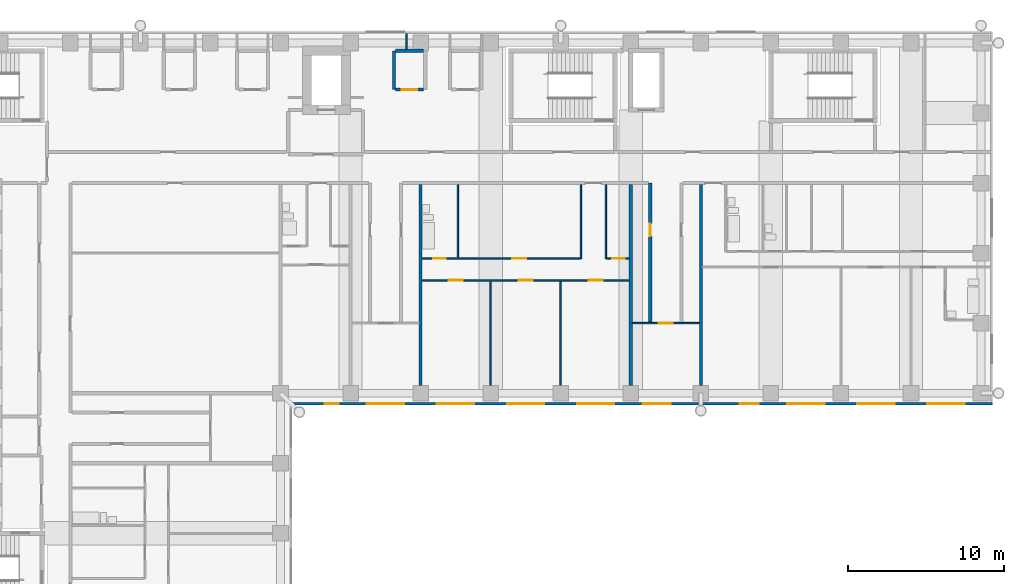
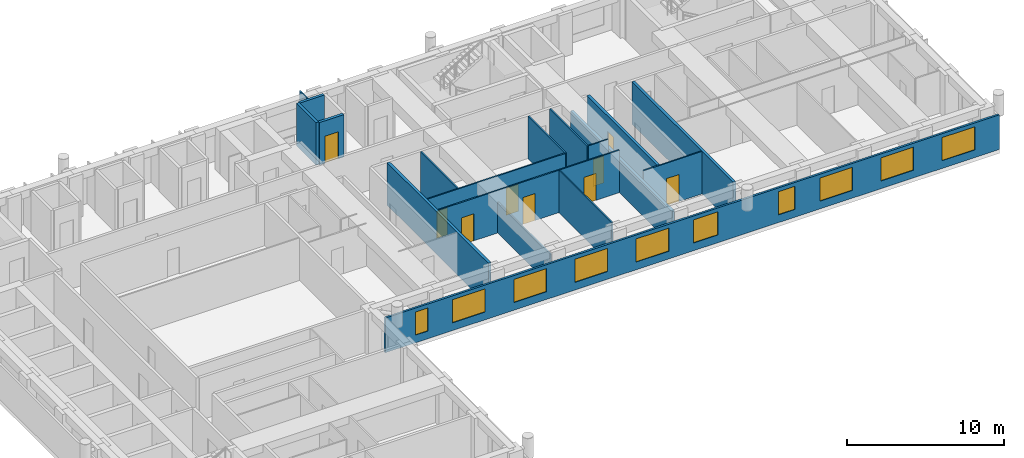
# One storey, part 9 of 15: 18 walls, 10 windows, 9 doors, 19 openings.
"""IFC4 building model written with IfcOpenShell, lengths in metres."""

from ifc_helpers import new_model, si_unit, direction, frame, frame_2d, origin, place, context, subcontext, project, spatial, rectangle, extrude, material, layer, layer_set, type_object, element, fill, save


model = new_model("IFC4")

# Units and contexts
model_context = context("Model", 3, precision=1e-05, world=origin(), true_north=direction((0.0, 1.0)))
body_context = subcontext(model_context, "Body", "Model", "MODEL_VIEW")
ifc_project = project(units=[si_unit("LENGTHUNIT", "METRE"), si_unit("AREAUNIT", "SQUARE_METRE"), si_unit("VOLUMEUNIT", "CUBIC_METRE"), si_unit("PLANEANGLEUNIT", "RADIAN"), si_unit("MASSUNIT", "GRAM", prefix="KILO")], contexts=[model_context])

# Site, building, storey
site_placement = place(None, origin())
site = spatial("IfcSite", under=ifc_project, at=site_placement, CompositionType="ELEMENT")
building_placement = place(site_placement, origin())
building = spatial("IfcBuilding", under=site, at=building_placement, Name="Firuza Court", CompositionType="ELEMENT")
storey_placement = place(building_placement, frame((0.0, 0.0, 137.60009765625)))
storey = spatial("IfcBuildingStorey", under=building, at=storey_placement, Name="L34", CompositionType="ELEMENT", Elevation=137.60009765625)

# Wall
ifc_material_1 = material(Name="Moisture-resistant gypsum board partition")
ifc_layer_1 = layer(ifc_material_1, 0.10009765625)
ifc_layer_set_1 = layer_set([ifc_layer_1], Name="Moisture-resistant gypsum board partition")
wall_type_1 = type_object("IfcWallType", Name="Bathroom partition 100", PredefinedType="PLUMBINGWALL", material=ifc_layer_set_1)
wall_1_placement = place(storey_placement, frame((33.89990234375, 44.699951171875, 0.0), z_axis=(0.0, 0.0, 1.0), x_axis=(0.0, 1.0, 0.0)))
element("IfcWall", 1, at=wall_1_placement, inside=storey, type_object=wall_type_1, Name="Bathroom partition 100 L34", PredefinedType="PLUMBINGWALL", context=body_context, shape_type="SweptSolid", body=[
    extrude(rectangle(XDim=4.699951171875, YDim=0.10009765625, at=frame_2d((2.35009765625, 0.0))), origin(), (0.0, 0.0, 1.0), 3.2998046875),
])

# Wall, opening, door
ifc_material_2 = material(Name="Blockwork, plastered both sides", Category="masonry")
ifc_layer_2 = layer(ifc_material_2, 0.199951171875)
ifc_layer_set_2 = layer_set([ifc_layer_2], Name="Blockwork, plastered both sides")
wall_type_2 = type_object("IfcWallType", Name="Corridor wall 200", PredefinedType="PARTITIONING", material=ifc_layer_set_2)
wall_2_placement = place(storey_placement, frame((46.25, 40.550048828125, 0.0), z_axis=(0.0, 0.0, 1.0), x_axis=(0.0, 1.0, 0.0)))
wall_2 = element("IfcWall", 2, at=wall_2_placement, inside=storey, type_object=wall_type_2, Name="Corridor wall 200 L34", PredefinedType="PARTITIONING", context=body_context, shape_type="SweptSolid", body=[
    extrude(rectangle(XDim=8.949951171875, YDim=0.199951171875, at=frame_2d((4.47509765625, 0.0))), origin(), (0.0, 0.0, 1.0), 3.2998046875),
])
opening_1_placement = place(wall_2_placement, frame((5.550048828125, 0.0, 0.0)))
opening_1 = element("IfcOpeningElement", 3, at=opening_1_placement, cuts=wall_2, Name="Opening D34043", PredefinedType="OPENING", context=body_context, shape_type="SweptSolid", body=[
    extrude(rectangle(XDim=0.800048828125, YDim=2.10009765625, at=frame_2d((0.39990234375, 1.050048828125))), frame((0.0, 0.11181640625, 0.0), z_axis=(0.0, -1.0, 0.0), x_axis=(1.0, 0.0, 0.0)), (0.0, 0.0, 1.0), 0.223876953125),
])
ifc_material_3 = material(Name="Timber door leaf in hardwood frame", Category="wood")
door_type_1 = type_object("IfcDoorType", Name="Room door 800 EI 30", OperationType="SINGLE_SWING_LEFT", PredefinedType="DOOR", material=ifc_material_3)
door_1_placement = place(opening_1_placement, origin())
door_1 = element("IfcDoor", 4, at=door_1_placement, inside=storey, type_object=door_type_1, Name="Store door", OperationType="SINGLE_SWING_RIGHT", OverallHeight=2.10009765625, OverallWidth=0.800048828125, PredefinedType="DOOR", context=body_context, shape_type="SweptSolid", body=[
    extrude(rectangle(XDim=0.800048828125, YDim=2.10009765625, at=frame_2d((0.39990234375, 1.050048828125))), frame((0.0, 0.02490234375, 0.0), z_axis=(0.0, -1.0, 0.0), x_axis=(1.0, 0.0, 0.0)), (0.0, 0.0, 1.0), 0.050048828125),
])
fill(opening_1, door_1)

# Walls
ifc_material_4 = material(Name="Timber stud partition, plasterboard both sides", Category="wood")
ifc_layer_3 = layer(ifc_material_4, 0.10009765625)
ifc_layer_set_3 = layer_set([ifc_layer_3], Name="Timber stud partition, plasterboard both sides")
wall_type_3 = type_object("IfcWallType", Name="Partition wall 100", PredefinedType="PARTITIONING", material=ifc_layer_set_3)
wall_3_placement = place(storey_placement, frame((36.0, 36.5, 0.0), z_axis=(0.0, 0.0, 1.0), x_axis=(0.0, 1.0, 0.0)))
element("IfcWall", 5, at=wall_3_placement, inside=storey, type_object=wall_type_3, Name="Partition wall 100 L34", PredefinedType="PARTITIONING", context=body_context, shape_type="SweptSolid", body=[
    extrude(rectangle(XDim=6.699951171875, YDim=0.10009765625, at=frame_2d((3.35009765625, 0.0))), origin(), (0.0, 0.0, 1.0), 2.39990234375),
])
wall_4_placement = place(storey_placement, frame((40.5, 36.5, 0.0), z_axis=(0.0, 0.0, 1.0), x_axis=(0.0, 1.0, 0.0)))
element("IfcWall", 6, at=wall_4_placement, inside=storey, type_object=wall_type_3, Name="Partition wall 100 L34", PredefinedType="PARTITIONING", context=body_context, shape_type="SweptSolid", body=[
    extrude(rectangle(XDim=6.699951171875, YDim=0.10009765625, at=frame_2d((3.35009765625, 0.0))), origin(), (0.0, 0.0, 1.0), 3.2998046875),
])

# Wall, opening, door
wall_5_placement = place(storey_placement, frame((45.10009765625, 40.5, 0.0), z_axis=(0.0, 0.0, 1.0), x_axis=(1.0, 0.0, 0.0)))
wall_5 = element("IfcWall", 7, at=wall_5_placement, inside=storey, type_object=wall_type_3, Name="Partition wall 100 L34", PredefinedType="PARTITIONING", context=body_context, shape_type="SweptSolid", body=[
    extrude(rectangle(XDim=4.2998046875, YDim=0.10009765625, at=frame_2d((2.14990234375, 0.0))), origin(), (0.0, 0.0, 1.0), 3.2998046875),
])
opening_2_placement = place(wall_5_placement, frame((1.699951171875, 0.0, 0.0)))
opening_2 = element("IfcOpeningElement", 8, at=opening_2_placement, cuts=wall_5, Name="Opening D34040", PredefinedType="OPENING", context=body_context, shape_type="SweptSolid", body=[
    extrude(rectangle(XDim=0.89990234375, YDim=2.10009765625, at=frame_2d((0.449951171875, 1.050048828125))), frame((0.0, 0.06201171875, 0.0), z_axis=(0.0, -1.0, 0.0), x_axis=(1.0, 0.0, 0.0)), (0.0, 0.0, 1.0), 0.1240234375),
])
ifc_material_5 = material(Name="Timber door leaf in hardwood frame", Category="wood")
door_type_2 = type_object("IfcDoorType", Name="Room door 900", OperationType="SINGLE_SWING_LEFT", PredefinedType="DOOR", material=ifc_material_5)
door_2_placement = place(opening_2_placement, origin())
door_2 = element("IfcDoor", 9, at=door_2_placement, inside=storey, type_object=door_type_2, Name="Residents' lounge door", OperationType="SINGLE_SWING_LEFT", OverallHeight=2.10009765625, OverallWidth=0.89990234375, PredefinedType="DOOR", context=body_context, shape_type="SweptSolid", body=[
    extrude(rectangle(XDim=0.89990234375, YDim=2.10009765625, at=frame_2d((0.449951171875, 1.050048828125))), frame((0.0, 0.02490234375, 0.0), z_axis=(0.0, -1.0, 0.0), x_axis=(1.0, 0.0, 0.0)), (0.0, 0.0, 1.0), 0.050048828125),
])
fill(opening_2, door_2)

# Wall, openings, doors
wall_6_placement = place(storey_placement, frame((31.60009765625, 43.25, 0.0), z_axis=(0.0, 0.0, 1.0), x_axis=(1.0, 0.0, 0.0)))
wall_6 = element("IfcWall", 10, at=wall_6_placement, inside=storey, type_object=wall_type_3, Name="Partition wall 100 L34", PredefinedType="PARTITIONING", context=body_context, shape_type="SweptSolid", body=[
    extrude(rectangle(XDim=13.2998046875, YDim=0.10009765625, at=frame_2d((6.64990234375, 0.0))), origin(), (0.0, 0.0, 1.0), 3.2998046875),
])
opening_3_placement = place(wall_6_placement, frame((1.699951171875, 0.0, 0.0)))
opening_3 = element("IfcOpeningElement", 11, at=opening_3_placement, cuts=wall_6, Name="Opening D34046", PredefinedType="OPENING", context=body_context, shape_type="SweptSolid", body=[
    extrude(rectangle(XDim=0.89990234375, YDim=2.10009765625, at=frame_2d((0.449951171875, 1.050048828125))), frame((0.0, 0.06201171875, 0.0), z_axis=(0.0, -1.0, 0.0), x_axis=(1.0, 0.0, 0.0)), (0.0, 0.0, 1.0), 0.1240234375),
])
opening_4_placement = place(wall_6_placement, frame((6.199951171875, 0.0, 0.0)))
opening_4 = element("IfcOpeningElement", 12, at=opening_4_placement, cuts=wall_6, Name="Opening D34047", PredefinedType="OPENING", context=body_context, shape_type="SweptSolid", body=[
    extrude(rectangle(XDim=0.89990234375, YDim=2.10009765625, at=frame_2d((0.449951171875, 1.050048828125))), frame((0.0, 0.06201171875, 0.0), z_axis=(0.0, -1.0, 0.0), x_axis=(1.0, 0.0, 0.0)), (0.0, 0.0, 1.0), 0.1240234375),
])
opening_5_placement = place(wall_6_placement, frame((10.699951171875, 0.0, 0.0)))
opening_5 = element("IfcOpeningElement", 13, at=opening_5_placement, cuts=wall_6, Name="Opening D34048", PredefinedType="OPENING", context=body_context, shape_type="SweptSolid", body=[
    extrude(rectangle(XDim=0.89990234375, YDim=2.10009765625, at=frame_2d((0.449951171875, 1.050048828125))), frame((0.0, 0.06201171875, 0.0), z_axis=(0.0, -1.0, 0.0), x_axis=(1.0, 0.0, 0.0)), (0.0, 0.0, 1.0), 0.1240234375),
])
door_3_placement = place(opening_3_placement, frame((0.89990234375, 0.0, 0.0), z_axis=(0.0, 0.0, 1.0), x_axis=(-1.0, 0.0, 0.0)))
door_3 = element("IfcDoor", 14, at=door_3_placement, inside=storey, type_object=door_type_2, Name="Bedroom door", OperationType="SINGLE_SWING_RIGHT", OverallHeight=2.10009765625, OverallWidth=0.89990234375, PredefinedType="DOOR", context=body_context, shape_type="SweptSolid", body=[
    extrude(rectangle(XDim=0.89990234375, YDim=2.10009765625, at=frame_2d((0.449951171875, 1.050048828125))), frame((0.0, 0.02490234375, 0.0), z_axis=(0.0, -1.0, 0.0), x_axis=(1.0, 0.0, 0.0)), (0.0, 0.0, 1.0), 0.050048828125),
])
fill(opening_3, door_3)
door_4_placement = place(opening_4_placement, frame((0.89990234375, 0.0, 0.0), z_axis=(0.0, 0.0, 1.0), x_axis=(-1.0, 0.0, 0.0)))
door_4 = element("IfcDoor", 15, at=door_4_placement, inside=storey, type_object=door_type_2, Name="Living room door", OperationType="SINGLE_SWING_RIGHT", OverallHeight=2.10009765625, OverallWidth=0.89990234375, PredefinedType="DOOR", context=body_context, shape_type="SweptSolid", body=[
    extrude(rectangle(XDim=0.89990234375, YDim=2.10009765625, at=frame_2d((0.449951171875, 1.050048828125))), frame((0.0, 0.02490234375, 0.0), z_axis=(0.0, -1.0, 0.0), x_axis=(1.0, 0.0, 0.0)), (0.0, 0.0, 1.0), 0.050048828125),
])
fill(opening_4, door_4)
door_5_placement = place(opening_5_placement, frame((0.89990234375, 0.0, 0.0), z_axis=(0.0, 0.0, 1.0), x_axis=(-1.0, 0.0, 0.0)))
door_5 = element("IfcDoor", 16, at=door_5_placement, inside=storey, type_object=door_type_2, Name="Bedroom door", OperationType="SINGLE_SWING_RIGHT", OverallHeight=2.10009765625, OverallWidth=0.89990234375, PredefinedType="DOOR", context=body_context, shape_type="SweptSolid", body=[
    extrude(rectangle(XDim=0.89990234375, YDim=2.10009765625, at=frame_2d((0.449951171875, 1.050048828125))), frame((0.0, 0.02490234375, 0.0), z_axis=(0.0, -1.0, 0.0), x_axis=(1.0, 0.0, 0.0)), (0.0, 0.0, 1.0), 0.050048828125),
])
fill(opening_5, door_5)

wall_7_placement = place(storey_placement, frame((31.60009765625, 44.64990234375, 0.0), z_axis=(0.0, 0.0, 1.0), x_axis=(1.0, 0.0, 0.0)))
wall_7 = element("IfcWall", 17, at=wall_7_placement, inside=storey, type_object=wall_type_3, Name="Partition wall 100 L34", PredefinedType="PARTITIONING", context=body_context, shape_type="SweptSolid", body=[
    extrude(rectangle(XDim=10.14990234375, YDim=0.10009765625, at=frame_2d((5.074951171875, 0.0))), origin(), (0.0, 0.0, 1.0), 3.2998046875),
])
opening_6_placement = place(wall_7_placement, frame((0.699951171875, 0.0, 0.0)))
opening_6 = element("IfcOpeningElement", 18, at=opening_6_placement, cuts=wall_7, Name="Opening D34053", PredefinedType="OPENING", context=body_context, shape_type="SweptSolid", body=[
    extrude(rectangle(XDim=0.800048828125, YDim=2.10009765625, at=frame_2d((0.39990234375, 1.050048828125))), frame((0.0, 0.06201171875, 0.0), z_axis=(0.0, -1.0, 0.0), x_axis=(1.0, 0.0, 0.0)), (0.0, 0.0, 1.0), 0.1240234375),
])
opening_7_placement = place(wall_7_placement, frame((5.800048828125, 0.0, 0.0)))
opening_7 = element("IfcOpeningElement", 19, at=opening_7_placement, cuts=wall_7, Name="Opening D34054", PredefinedType="OPENING", context=body_context, shape_type="SweptSolid", body=[
    extrude(rectangle(XDim=0.89990234375, YDim=2.10009765625, at=frame_2d((0.449951171875, 1.050048828125))), frame((0.0, 0.06201171875, 0.0), z_axis=(0.0, -1.0, 0.0), x_axis=(1.0, 0.0, 0.0)), (0.0, 0.0, 1.0), 0.1240234375),
])
ifc_material_6 = material(Name="Timber door leaf in hardwood frame", Category="wood")
door_type_3 = type_object("IfcDoorType", Name="Bathroom door 800", OperationType="SINGLE_SWING_LEFT", PredefinedType="DOOR", material=ifc_material_6)
door_6_placement = place(opening_6_placement, origin())
door_6 = element("IfcDoor", 20, at=door_6_placement, inside=storey, type_object=door_type_3, Name="Bathroom door", OperationType="SINGLE_SWING_LEFT", OverallHeight=2.10009765625, OverallWidth=0.800048828125, PredefinedType="DOOR", context=body_context, shape_type="SweptSolid", body=[
    extrude(rectangle(XDim=0.800048828125, YDim=2.10009765625, at=frame_2d((0.39990234375, 1.050048828125))), frame((0.0, 0.02490234375, 0.0), z_axis=(0.0, -1.0, 0.0), x_axis=(1.0, 0.0, 0.0)), (0.0, 0.0, 1.0), 0.050048828125),
])
fill(opening_6, door_6)
door_7_placement = place(opening_7_placement, origin())
door_7 = element("IfcDoor", 21, at=door_7_placement, inside=storey, type_object=door_type_2, Name="Kitchen door", OperationType="SINGLE_SWING_LEFT", OverallHeight=2.10009765625, OverallWidth=0.89990234375, PredefinedType="DOOR", context=body_context, shape_type="SweptSolid", body=[
    extrude(rectangle(XDim=0.89990234375, YDim=2.10009765625, at=frame_2d((0.449951171875, 1.050048828125))), frame((0.0, 0.02490234375, 0.0), z_axis=(0.0, -1.0, 0.0), x_axis=(1.0, 0.0, 0.0)), (0.0, 0.0, 1.0), 0.050048828125),
])
fill(opening_7, door_7)

# Walls
for number, where, z_axis, x_axis, name in (
    (22, (41.800048828125, 44.64990234375, 0.0), (0.0, 0.0, 1.0), (0.0, 1.0, 0.0), "Partition wall 100 L34"),
    (23, (43.39990234375, 44.64990234375, 0.0), (0.0, 0.0, 1.0), (0.0, 1.0, 0.0), "Partition wall 100 L34"),
):
    element("IfcWall", number, at=place(storey_placement, frame(where, z_axis=z_axis, x_axis=x_axis)), inside=storey, type_object=wall_type_3, Name=name, PredefinedType="PARTITIONING", context=body_context, shape_type="SweptSolid", body=[
        extrude(rectangle(XDim=4.75, YDim=0.10009765625, at=frame_2d((2.375, 0.0))), origin(), (0.0, 0.0, 1.0), 3.2998046875),
    ])

# Wall, opening, door
wall_8_placement = place(storey_placement, frame((43.449951171875, 44.64990234375, 0.0), z_axis=(0.0, 0.0, 1.0), x_axis=(1.0, 0.0, 0.0)))
wall_8 = element("IfcWall", 24, at=wall_8_placement, inside=storey, type_object=wall_type_3, Name="Partition wall 100 L34", PredefinedType="PARTITIONING", context=body_context, shape_type="SweptSolid", body=[
    extrude(rectangle(XDim=1.449951171875, YDim=0.10009765625, at=frame_2d((0.72509765625, 0.0))), origin(), (0.0, 0.0, 1.0), 3.2998046875),
])
opening_8_placement = place(wall_8_placement, frame((0.35009765625, 0.0, 0.0)))
opening_8 = element("IfcOpeningElement", 25, at=opening_8_placement, cuts=wall_8, Name="Opening D34055", PredefinedType="OPENING", context=body_context, shape_type="SweptSolid", body=[
    extrude(rectangle(XDim=0.800048828125, YDim=2.10009765625, at=frame_2d((0.39990234375, 1.050048828125))), frame((0.0, 0.06201171875, 0.0), z_axis=(0.0, -1.0, 0.0), x_axis=(1.0, 0.0, 0.0)), (0.0, 0.0, 1.0), 0.1240234375),
])
ifc_material_7 = material(Name="Timber door leaf in hardwood frame", Category="wood")
door_type_4 = type_object("IfcDoorType", Name="Room door 800", OperationType="SINGLE_SWING_LEFT", PredefinedType="DOOR", material=ifc_material_7)
door_8_placement = place(opening_8_placement, origin())
door_8 = element("IfcDoor", 26, at=door_8_placement, inside=storey, type_object=door_type_4, Name="Store door", OperationType="SINGLE_SWING_LEFT", OverallHeight=2.10009765625, OverallWidth=0.800048828125, PredefinedType="DOOR", context=body_context, shape_type="SweptSolid", body=[
    extrude(rectangle(XDim=0.800048828125, YDim=2.10009765625, at=frame_2d((0.39990234375, 1.050048828125))), frame((0.0, 0.02490234375, 0.0), z_axis=(0.0, -1.0, 0.0), x_axis=(1.0, 0.0, 0.0)), (0.0, 0.0, 1.0), 0.050048828125),
])
fill(opening_8, door_8)

# Walls
wall_9_placement = place(storey_placement, frame((30.60009765625, 58.10009765625, 0.0), z_axis=(0.0, 0.0, 1.0), x_axis=(0.0, 1.0, 0.0)))
element("IfcWall", 27, at=wall_9_placement, inside=storey, type_object=wall_type_3, Name="Partition wall 100 L34", PredefinedType="PARTITIONING", context=body_context, shape_type="SweptSolid", body=[
    extrude(rectangle(XDim=1.0, YDim=0.10009765625, at=frame_2d((0.5, 0.0))), origin(), (0.0, 0.0, 1.0), 3.2998046875),
])
ifc_layer_4 = layer(ifc_material_2, 0.199951171875)
ifc_layer_set_4 = layer_set([ifc_layer_4], Name="Blockwork, plastered both sides")
wall_type_4 = type_object("IfcWallType", Name="Party wall 200", PredefinedType="PARTITIONING", material=ifc_layer_set_4)
wall_10_placement = place(storey_placement, frame((31.5, 36.5, 0.0), z_axis=(0.0, 0.0, 1.0), x_axis=(0.0, 1.0, 0.0)))
element("IfcWall", 28, at=wall_10_placement, inside=storey, type_object=wall_type_4, Name="Party wall 200 L34", PredefinedType="PARTITIONING", context=body_context, shape_type="SweptSolid", body=[
    extrude(rectangle(XDim=12.89990234375, YDim=0.199951171875, at=frame_2d((6.449951171875, 0.0))), origin(), (0.0, 0.0, 1.0), 3.2998046875),
])
wall_11_placement = place(storey_placement, frame((45.0, 36.5, 0.0), z_axis=(0.0, 0.0, 1.0), x_axis=(0.0, 1.0, 0.0)))
element("IfcWall", 29, at=wall_11_placement, inside=storey, type_object=wall_type_4, Name="Party wall 200 L34", PredefinedType="PARTITIONING", context=body_context, shape_type="SweptSolid", body=[
    extrude(rectangle(XDim=12.89990234375, YDim=0.199951171875, at=frame_2d((6.449951171875, 0.0))), origin(), (0.0, 0.0, 1.0), 2.599853515625),
])
wall_12_placement = place(storey_placement, frame((49.5, 36.5, 0.0), z_axis=(0.0, 0.0, 1.0), x_axis=(0.0, 1.0, 0.0)))
element("IfcWall", 30, at=wall_12_placement, inside=storey, type_object=wall_type_4, Name="Party wall 200 L34", PredefinedType="PARTITIONING", context=body_context, shape_type="SweptSolid", body=[
    extrude(rectangle(XDim=12.89990234375, YDim=0.199951171875, at=frame_2d((6.449951171875, 0.0))), origin(), (0.0, 0.0, 1.0), 3.2998046875),
])
ifc_material_8 = material(Name="Blockwork, fire-rated", Category="masonry")
ifc_layer_5 = layer(ifc_material_8, 0.199951171875)
ifc_layer_set_5 = layer_set([ifc_layer_5], Name="Blockwork, fire-rated")
wall_type_5 = type_object("IfcWallType", Name="Plant room wall 200", PredefinedType="PARTITIONING", material=ifc_layer_set_5)
wall_13_placement = place(storey_placement, frame((29.800048828125, 55.5, 0.0), z_axis=(0.0, 0.0, 1.0), x_axis=(0.0, 1.0, 0.0)))
element("IfcWall", 31, at=wall_13_placement, inside=storey, type_object=wall_type_5, Name="Plant room wall 200 L34", PredefinedType="PARTITIONING", context=body_context, shape_type="SweptSolid", body=[
    extrude(rectangle(XDim=2.5, YDim=0.199951171875, at=frame_2d((1.25, 0.0))), origin(), (0.0, 0.0, 1.0), 3.2998046875),
])

# Wall, opening, door
wall_14_placement = place(storey_placement, frame((29.89990234375, 55.5, 0.0), z_axis=(0.0, 0.0, 1.0), x_axis=(1.0, 0.0, 0.0)))
wall_14 = element("IfcWall", 32, at=wall_14_placement, inside=storey, type_object=wall_type_5, Name="Plant room wall 200 L34", PredefinedType="PARTITIONING", context=body_context, shape_type="SweptSolid", body=[
    extrude(rectangle(XDim=1.800048828125, YDim=0.199951171875, at=frame_2d((0.89990234375, 0.0))), origin(), (0.0, 0.0, 1.0), 3.2998046875),
])
opening_9_placement = place(wall_14_placement, frame((0.39990234375, 0.0, 0.0)))
opening_9 = element("IfcOpeningElement", 33, at=opening_9_placement, cuts=wall_14, Name="Opening D34075", PredefinedType="OPENING", context=body_context, shape_type="SweptSolid", body=[
    extrude(rectangle(XDim=1.0, YDim=2.10009765625, at=frame_2d((0.5, 1.050048828125))), frame((0.0, 0.11181640625, 0.0), z_axis=(0.0, -1.0, 0.0), x_axis=(1.0, 0.0, 0.0)), (0.0, 0.0, 1.0), 0.223876953125),
])
ifc_material_9 = material(Name="Timber door leaf in hardwood frame", Category="wood")
door_type_5 = type_object("IfcDoorType", Name="Riser door 1000", OperationType="SINGLE_SWING_LEFT", PredefinedType="DOOR", material=ifc_material_9)
door_9_placement = place(opening_9_placement, origin())
door_9 = element("IfcDoor", 34, at=door_9_placement, inside=storey, type_object=door_type_5, Name="Electrical riser door", OperationType="SINGLE_SWING_LEFT", OverallHeight=2.10009765625, OverallWidth=1.0, PredefinedType="DOOR", context=body_context, shape_type="SweptSolid", body=[
    extrude(rectangle(XDim=1.0, YDim=2.10009765625, at=frame_2d((0.5, 1.050048828125))), frame((0.0, 0.02490234375, 0.0), z_axis=(0.0, -1.0, 0.0), x_axis=(1.0, 0.0, 0.0)), (0.0, 0.0, 1.0), 0.050048828125),
])
fill(opening_9, door_9)

# Wall
wall_15_placement = place(storey_placement, frame((29.89990234375, 58.0, 0.0), z_axis=(0.0, 0.0, 1.0), x_axis=(1.0, 0.0, 0.0)))
element("IfcWall", 35, at=wall_15_placement, inside=storey, type_object=wall_type_5, Name="Plant room wall 200 L34", PredefinedType="PARTITIONING", context=body_context, shape_type="SweptSolid", body=[
    extrude(rectangle(XDim=1.800048828125, YDim=0.199951171875, at=frame_2d((0.89990234375, 0.0))), origin(), (0.0, 0.0, 1.0), 3.2998046875),
])

# Wall, openings, windows
ifc_material_10 = material(Name="Ceramic tile", Category="ceramic")
ifc_layer_6 = layer(ifc_material_10, 0.02001953125)
ifc_material_11 = material(Name="Mineral wool insulation", Category="insulation")
ifc_layer_7 = layer(ifc_material_11, 0.050048828125)
ifc_material_12 = material(Name="Concrete C40/50 precast", Category="concrete")
ifc_layer_8 = layer(ifc_material_12, 0.080078125)
ifc_layer_set_6 = layer_set([ifc_layer_6, ifc_layer_7, ifc_layer_8], Name="Concrete C40/50 precast")
wall_type_6 = type_object("IfcWallType", Name="Precast cladding wall with turquoise TILE PANEL face 150", PredefinedType="STANDARD", material=ifc_layer_set_6)
wall_16_placement = place(storey_placement, frame((23.10009765625, 35.324951171875, 0.0), z_axis=(0.0, 0.0, 1.0), x_axis=(1.0, 0.0, 0.0)))
wall_16 = element("IfcWall", 36, at=wall_16_placement, inside=storey, type_object=wall_type_6, Name="Facade wall L34 S", PredefinedType="STANDARD", context=body_context, shape_type="SweptSolid", body=[
    extrude(rectangle(XDim=45.14990234375, YDim=0.14990234375, at=frame_2d((22.574951171875, 0.0))), origin(), (0.0, 0.0, 1.0), 2.699951171875),
])
opening_10_placement = place(wall_16_placement, frame((2.234619140625, 0.0, 0.60009765625)))
opening_10 = element("IfcOpeningElement", 37, at=opening_10_placement, cuts=wall_16, Name="Opening W3", PredefinedType="OPENING", context=body_context, shape_type="SweptSolid", body=[
    extrude(rectangle(XDim=0.89990234375, YDim=1.800048828125, at=frame_2d((0.449951171875, 0.89990234375))), frame((0.0, 0.0869140625, 0.0), z_axis=(0.0, -1.0, 0.0), x_axis=(1.0, 0.0, 0.0)), (0.0, 0.0, 1.0), 0.173828125),
])
opening_11_placement = place(wall_16_placement, frame((4.949951171875, 0.0, 0.60009765625)))
opening_11 = element("IfcOpeningElement", 38, at=opening_11_placement, cuts=wall_16, Name="Opening W1", PredefinedType="OPENING", context=body_context, shape_type="SweptSolid", body=[
    extrude(rectangle(XDim=2.39990234375, YDim=1.800048828125, at=frame_2d((1.199951171875, 0.89990234375))), frame((0.0, 0.0869140625, 0.0), z_axis=(0.0, -1.0, 0.0), x_axis=(1.0, 0.0, 0.0)), (0.0, 0.0, 1.0), 0.173828125),
])
opening_12_placement = place(wall_16_placement, frame((9.449951171875, 0.0, 0.60009765625)))
opening_12 = element("IfcOpeningElement", 39, at=opening_12_placement, cuts=wall_16, Name="Opening W1", PredefinedType="OPENING", context=body_context, shape_type="SweptSolid", body=[
    extrude(rectangle(XDim=2.39990234375, YDim=1.800048828125, at=frame_2d((1.199951171875, 0.89990234375))), frame((0.0, 0.0869140625, 0.0), z_axis=(0.0, -1.0, 0.0), x_axis=(1.0, 0.0, 0.0)), (0.0, 0.0, 1.0), 0.173828125),
])
opening_13_placement = place(wall_16_placement, frame((13.949951171875, 0.0, 0.60009765625)))
opening_13 = element("IfcOpeningElement", 40, at=opening_13_placement, cuts=wall_16, Name="Opening W1", PredefinedType="OPENING", context=body_context, shape_type="SweptSolid", body=[
    extrude(rectangle(XDim=2.39990234375, YDim=1.800048828125, at=frame_2d((1.199951171875, 0.89990234375))), frame((0.0, 0.0869140625, 0.0), z_axis=(0.0, -1.0, 0.0), x_axis=(1.0, 0.0, 0.0)), (0.0, 0.0, 1.0), 0.173828125),
])
opening_14_placement = place(wall_16_placement, frame((18.449951171875, 0.0, 0.60009765625)))
opening_14 = element("IfcOpeningElement", 41, at=opening_14_placement, cuts=wall_16, Name="Opening W1", PredefinedType="OPENING", context=body_context, shape_type="SweptSolid", body=[
    extrude(rectangle(XDim=2.39990234375, YDim=1.800048828125, at=frame_2d((1.199951171875, 0.89990234375))), frame((0.0, 0.0869140625, 0.0), z_axis=(0.0, -1.0, 0.0), x_axis=(1.0, 0.0, 0.0)), (0.0, 0.0, 1.0), 0.173828125),
])
opening_15_placement = place(wall_16_placement, frame((22.65966796875, 0.0, 0.60009765625)))
opening_15 = element("IfcOpeningElement", 42, at=opening_15_placement, cuts=wall_16, Name="Opening W7", PredefinedType="OPENING", context=body_context, shape_type="SweptSolid", body=[
    extrude(rectangle(XDim=1.800048828125, YDim=1.800048828125, at=frame_2d((0.89990234375, 0.89990234375))), frame((0.0, 0.0869140625, 0.0), z_axis=(0.0, -1.0, 0.0), x_axis=(1.0, 0.0, 0.0)), (0.0, 0.0, 1.0), 0.173828125),
])
opening_16_placement = place(wall_16_placement, frame((28.9111328125, 0.0, 0.60009765625)))
opening_16 = element("IfcOpeningElement", 43, at=opening_16_placement, cuts=wall_16, Name="Opening W8", PredefinedType="OPENING", context=body_context, shape_type="SweptSolid", body=[
    extrude(rectangle(XDim=1.199951171875, YDim=1.800048828125, at=frame_2d((0.60009765625, 0.89990234375))), frame((0.0, 0.0869140625, 0.0), z_axis=(0.0, -1.0, 0.0), x_axis=(1.0, 0.0, 0.0)), (0.0, 0.0, 1.0), 0.173828125),
])
opening_17_placement = place(wall_16_placement, frame((31.949951171875, 0.0, 0.60009765625)))
opening_17 = element("IfcOpeningElement", 44, at=opening_17_placement, cuts=wall_16, Name="Opening W1", PredefinedType="OPENING", context=body_context, shape_type="SweptSolid", body=[
    extrude(rectangle(XDim=2.39990234375, YDim=1.800048828125, at=frame_2d((1.199951171875, 0.89990234375))), frame((0.0, 0.0869140625, 0.0), z_axis=(0.0, -1.0, 0.0), x_axis=(1.0, 0.0, 0.0)), (0.0, 0.0, 1.0), 0.173828125),
])
opening_18_placement = place(wall_16_placement, frame((36.449951171875, 0.0, 0.60009765625)))
opening_18 = element("IfcOpeningElement", 45, at=opening_18_placement, cuts=wall_16, Name="Opening W1", PredefinedType="OPENING", context=body_context, shape_type="SweptSolid", body=[
    extrude(rectangle(XDim=2.39990234375, YDim=1.800048828125, at=frame_2d((1.199951171875, 0.89990234375))), frame((0.0, 0.0869140625, 0.0), z_axis=(0.0, -1.0, 0.0), x_axis=(1.0, 0.0, 0.0)), (0.0, 0.0, 1.0), 0.173828125),
])
opening_19_placement = place(wall_16_placement, frame((40.949951171875, 0.0, 0.60009765625)))
opening_19 = element("IfcOpeningElement", 46, at=opening_19_placement, cuts=wall_16, Name="Opening W1", PredefinedType="OPENING", context=body_context, shape_type="SweptSolid", body=[
    extrude(rectangle(XDim=2.39990234375, YDim=1.800048828125, at=frame_2d((1.199951171875, 0.89990234375))), frame((0.0, 0.0869140625, 0.0), z_axis=(0.0, -1.0, 0.0), x_axis=(1.0, 0.0, 0.0)), (0.0, 0.0, 1.0), 0.173828125),
])
ifc_material_13 = material(Name="Aluminium frame, triple clear glazing", Category="aluminium")
window_type_1 = type_object("IfcWindowType", Name="Window W1 2400 x 1800", PartitioningType="SINGLE_PANEL", PredefinedType="WINDOW", material=ifc_material_13)
window_1_placement = place(opening_11_placement, origin())
window_1 = element("IfcWindow", 47, at=window_1_placement, inside=storey, type_object=window_type_1, Name="Window L34", OverallHeight=1.800048828125, OverallWidth=2.39990234375, PartitioningType="SINGLE_PANEL", PredefinedType="WINDOW", context=body_context, shape_type="SweptSolid", body=[
    extrude(rectangle(XDim=2.39990234375, YDim=1.800048828125, at=frame_2d((1.199951171875, 0.89990234375))), frame((0.0, 0.030029296875, 0.0), z_axis=(0.0, -1.0, 0.0), x_axis=(1.0, 0.0, 0.0)), (0.0, 0.0, 1.0), 0.06005859375),
])
fill(opening_11, window_1)
window_2_placement = place(opening_12_placement, origin())
window_2 = element("IfcWindow", 48, at=window_2_placement, inside=storey, type_object=window_type_1, Name="Window L34", OverallHeight=1.800048828125, OverallWidth=2.39990234375, PartitioningType="SINGLE_PANEL", PredefinedType="WINDOW", context=body_context, shape_type="SweptSolid", body=[
    extrude(rectangle(XDim=2.39990234375, YDim=1.800048828125, at=frame_2d((1.199951171875, 0.89990234375))), frame((0.0, 0.030029296875, 0.0), z_axis=(0.0, -1.0, 0.0), x_axis=(1.0, 0.0, 0.0)), (0.0, 0.0, 1.0), 0.06005859375),
])
fill(opening_12, window_2)
window_3_placement = place(opening_13_placement, origin())
window_3 = element("IfcWindow", 49, at=window_3_placement, inside=storey, type_object=window_type_1, Name="Window L34", OverallHeight=1.800048828125, OverallWidth=2.39990234375, PartitioningType="SINGLE_PANEL", PredefinedType="WINDOW", context=body_context, shape_type="SweptSolid", body=[
    extrude(rectangle(XDim=2.39990234375, YDim=1.800048828125, at=frame_2d((1.199951171875, 0.89990234375))), frame((0.0, 0.030029296875, 0.0), z_axis=(0.0, -1.0, 0.0), x_axis=(1.0, 0.0, 0.0)), (0.0, 0.0, 1.0), 0.06005859375),
])
fill(opening_13, window_3)
window_4_placement = place(opening_14_placement, origin())
window_4 = element("IfcWindow", 50, at=window_4_placement, inside=storey, type_object=window_type_1, Name="Window L34", OverallHeight=1.800048828125, OverallWidth=2.39990234375, PartitioningType="SINGLE_PANEL", PredefinedType="WINDOW", context=body_context, shape_type="SweptSolid", body=[
    extrude(rectangle(XDim=2.39990234375, YDim=1.800048828125, at=frame_2d((1.199951171875, 0.89990234375))), frame((0.0, 0.030029296875, 0.0), z_axis=(0.0, -1.0, 0.0), x_axis=(1.0, 0.0, 0.0)), (0.0, 0.0, 1.0), 0.06005859375),
])
fill(opening_14, window_4)
window_5_placement = place(opening_17_placement, origin())
window_5 = element("IfcWindow", 51, at=window_5_placement, inside=storey, type_object=window_type_1, Name="Window L34", OverallHeight=1.800048828125, OverallWidth=2.39990234375, PartitioningType="SINGLE_PANEL", PredefinedType="WINDOW", context=body_context, shape_type="SweptSolid", body=[
    extrude(rectangle(XDim=2.39990234375, YDim=1.800048828125, at=frame_2d((1.199951171875, 0.89990234375))), frame((0.0, 0.030029296875, 0.0), z_axis=(0.0, -1.0, 0.0), x_axis=(1.0, 0.0, 0.0)), (0.0, 0.0, 1.0), 0.06005859375),
])
fill(opening_17, window_5)
window_6_placement = place(opening_18_placement, origin())
window_6 = element("IfcWindow", 52, at=window_6_placement, inside=storey, type_object=window_type_1, Name="Window L34", OverallHeight=1.800048828125, OverallWidth=2.39990234375, PartitioningType="SINGLE_PANEL", PredefinedType="WINDOW", context=body_context, shape_type="SweptSolid", body=[
    extrude(rectangle(XDim=2.39990234375, YDim=1.800048828125, at=frame_2d((1.199951171875, 0.89990234375))), frame((0.0, 0.030029296875, 0.0), z_axis=(0.0, -1.0, 0.0), x_axis=(1.0, 0.0, 0.0)), (0.0, 0.0, 1.0), 0.06005859375),
])
fill(opening_18, window_6)
window_7_placement = place(opening_19_placement, origin())
window_7 = element("IfcWindow", 53, at=window_7_placement, inside=storey, type_object=window_type_1, Name="Window L34", OverallHeight=1.800048828125, OverallWidth=2.39990234375, PartitioningType="SINGLE_PANEL", PredefinedType="WINDOW", context=body_context, shape_type="SweptSolid", body=[
    extrude(rectangle(XDim=2.39990234375, YDim=1.800048828125, at=frame_2d((1.199951171875, 0.89990234375))), frame((0.0, 0.030029296875, 0.0), z_axis=(0.0, -1.0, 0.0), x_axis=(1.0, 0.0, 0.0)), (0.0, 0.0, 1.0), 0.06005859375),
])
fill(opening_19, window_7)
ifc_material_14 = material(Name="Aluminium frame, triple clear glazing", Category="aluminium")
window_type_2 = type_object("IfcWindowType", Name="Window W3 900 x 1800", PartitioningType="SINGLE_PANEL", PredefinedType="WINDOW", material=ifc_material_14)
window_8_placement = place(opening_10_placement, origin())
window_8 = element("IfcWindow", 54, at=window_8_placement, inside=storey, type_object=window_type_2, Name="Window L34", OverallHeight=1.800048828125, OverallWidth=0.89990234375, PartitioningType="SINGLE_PANEL", PredefinedType="WINDOW", context=body_context, shape_type="SweptSolid", body=[
    extrude(rectangle(XDim=0.89990234375, YDim=1.800048828125, at=frame_2d((0.449951171875, 0.89990234375))), frame((0.0, 0.030029296875, 0.0), z_axis=(0.0, -1.0, 0.0), x_axis=(1.0, 0.0, 0.0)), (0.0, 0.0, 1.0), 0.06005859375),
])
fill(opening_10, window_8)
ifc_material_15 = material(Name="Aluminium frame, triple clear glazing", Category="aluminium")
window_type_3 = type_object("IfcWindowType", Name="Window W7 1800 x 1800", PartitioningType="SINGLE_PANEL", PredefinedType="WINDOW", material=ifc_material_15)
window_9_placement = place(opening_15_placement, origin())
window_9 = element("IfcWindow", 55, at=window_9_placement, inside=storey, type_object=window_type_3, Name="Window L34", OverallHeight=1.800048828125, OverallWidth=1.800048828125, PartitioningType="SINGLE_PANEL", PredefinedType="WINDOW", context=body_context, shape_type="SweptSolid", body=[
    extrude(rectangle(XDim=1.800048828125, YDim=1.800048828125, at=frame_2d((0.89990234375, 0.89990234375))), frame((0.0, 0.030029296875, 0.0), z_axis=(0.0, -1.0, 0.0), x_axis=(1.0, 0.0, 0.0)), (0.0, 0.0, 1.0), 0.06005859375),
])
fill(opening_15, window_9)
ifc_material_16 = material(Name="Aluminium frame, triple clear glazing", Category="aluminium")
window_type_4 = type_object("IfcWindowType", Name="Window W8 1200 x 1800", PartitioningType="SINGLE_PANEL", PredefinedType="WINDOW", material=ifc_material_16)
window_10_placement = place(opening_16_placement, origin())
window_10 = element("IfcWindow", 56, at=window_10_placement, inside=storey, type_object=window_type_4, Name="Window L34", OverallHeight=1.800048828125, OverallWidth=1.199951171875, PartitioningType="SINGLE_PANEL", PredefinedType="WINDOW", context=body_context, shape_type="SweptSolid", body=[
    extrude(rectangle(XDim=1.199951171875, YDim=1.800048828125, at=frame_2d((0.60009765625, 0.89990234375))), frame((0.0, 0.030029296875, 0.0), z_axis=(0.0, -1.0, 0.0), x_axis=(1.0, 0.0, 0.0)), (0.0, 0.0, 1.0), 0.06005859375),
])
fill(opening_16, window_10)

save(model, "model.ifc")
